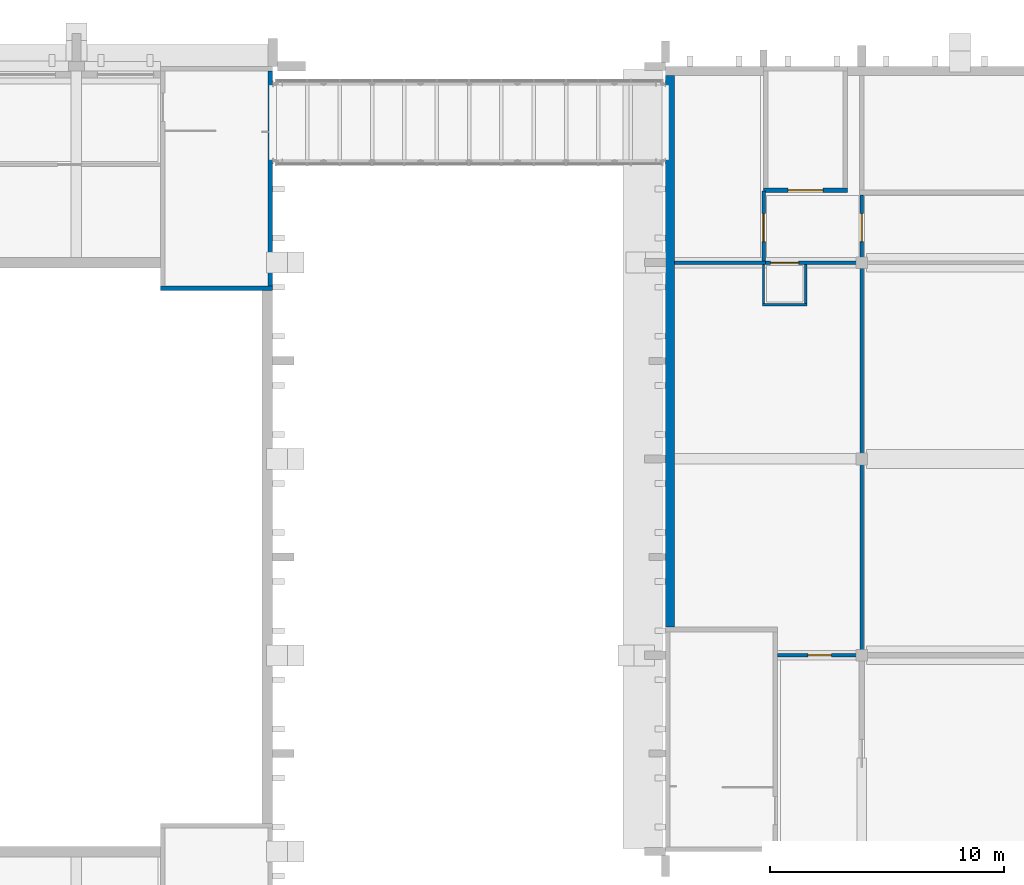
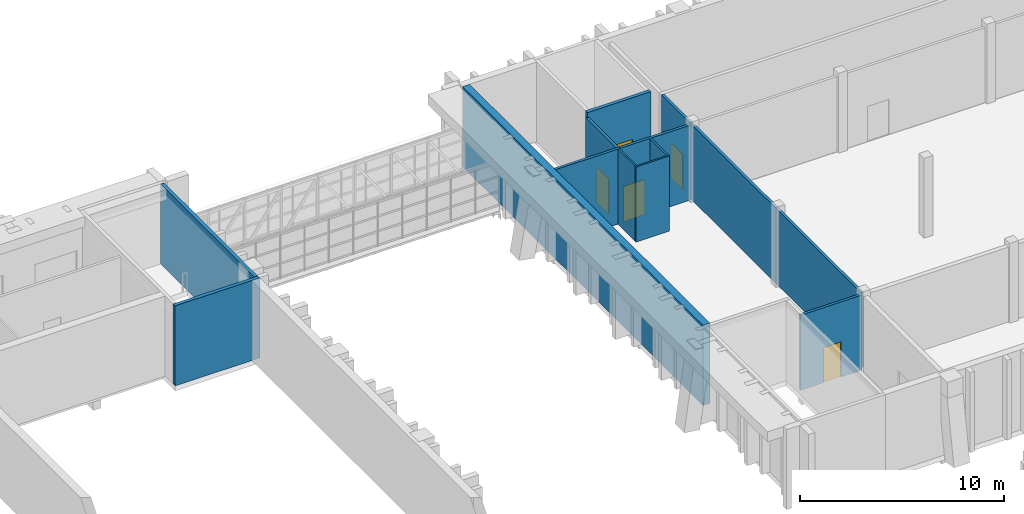
# One storey, part 49 of 86: 13 walls, 5 doors, 5 openings.
"""IFC4 building model written with IfcOpenShell, lengths in metres."""

from ifc_helpers import new_model, si_unit, direction, frame, frame_2d, origin, place, context, subcontext, project, spatial, rectangle, extrude, material, layer, layer_set, type_object, element, fill, save


model = new_model("IFC4")

# Units and contexts
model_context = context("Model", 3, precision=1e-05, world=origin(), true_north=direction((0.0, 1.0)))
body_context = subcontext(model_context, "Body", "Model", "MODEL_VIEW")
ifc_project = project(units=[si_unit("LENGTHUNIT", "METRE"), si_unit("AREAUNIT", "SQUARE_METRE"), si_unit("VOLUMEUNIT", "CUBIC_METRE"), si_unit("PLANEANGLEUNIT", "RADIAN"), si_unit("MASSUNIT", "GRAM", prefix="KILO")], contexts=[model_context])

# Site, building, storey
site_placement = place(None, origin())
site = spatial("IfcSite", under=ifc_project, at=site_placement, CompositionType="ELEMENT")
building_placement = place(site_placement, origin())
building = spatial("IfcBuilding", under=site, at=building_placement, Name="Kiln Court Media Centre", CompositionType="ELEMENT")
storey_placement = place(building_placement, frame((0.0, 0.0, 10.199951171875)))
storey = spatial("IfcBuildingStorey", under=building, at=storey_placement, Name="L02", CompositionType="ELEMENT", Elevation=10.199951171875)

# Wall, opening, door
ifc_material_1 = material(Name="Concrete block masonry M7.5", Category="masonry")
ifc_layer_1 = layer(ifc_material_1, 0.14990234375)
ifc_layer_set_1 = layer_set([ifc_layer_1], Name="Block lobby wall 150 EI 120")
wall_type_1 = type_object("IfcWallType", Name="Block lobby wall 150 EI 120", PredefinedType="SOLIDWALL", material=ifc_layer_set_1)
wall_1_placement = place(storey_placement, frame((121.875, 58.800048828125, 0.0), z_axis=(0.0, 0.0, 1.0), x_axis=(1.0, 0.0, 0.0)))
wall_1 = element("IfcWall", 1, at=wall_1_placement, inside=storey, type_object=wall_type_1, Name="L02 block lobby wall", PredefinedType="SOLIDWALL", context=body_context, shape_type="SweptSolid", body=[
    extrude(rectangle(XDim=4.050048828125, YDim=0.14990234375, at=frame_2d((2.02490234375, 0.0))), origin(), (0.0, 0.0, 1.0), 4.5),
])
opening_1_placement = place(wall_1_placement, frame((0.22509765625, 0.0, 0.0)))
opening_1 = element("IfcOpeningElement", 2, at=opening_1_placement, cuts=wall_1, Name="Opening D2068", PredefinedType="OPENING", context=body_context, shape_type="SweptSolid", body=[
    extrude(rectangle(XDim=1.199951171875, YDim=2.10009765625, at=frame_2d((0.60009765625, 1.050048828125))), frame((0.0, 0.0849609375, 0.0), z_axis=(0.0, -1.0, 0.0), x_axis=(1.0, 0.0, 0.0)), (0.0, 0.0, 1.0), 0.169921875),
])
ifc_material_2 = material(Name="Steel S275", Category="steel")
door_type_1 = type_object("IfcDoorType", Name="Steel lobby door 1200 x 2100 FD120", OperationType="SINGLE_SWING_LEFT", PredefinedType="DOOR", material=ifc_material_2)
door_1_placement = place(opening_1_placement, origin())
door_1 = element("IfcDoor", 3, at=door_1_placement, inside=storey, type_object=door_type_1, Name="Wheelchair Refuge / Fire-fighting Lift Lobby", OperationType="SINGLE_SWING_LEFT", OverallHeight=2.10009765625, OverallWidth=1.199951171875, PredefinedType="DOOR", context=body_context, shape_type="SweptSolid", body=[
    extrude(rectangle(XDim=1.199951171875, YDim=2.10009765625, at=frame_2d((0.60009765625, 1.050048828125))), frame((0.0, 0.02490234375, 0.0), z_axis=(0.0, -1.0, 0.0), x_axis=(1.0, 0.0, 0.0)), (0.0, 0.0, 1.0), 0.050048828125),
])
fill(opening_1, door_1)

wall_2_placement = place(storey_placement, frame((121.800048828125, 58.875, 0.0), z_axis=(0.0, 0.0, 1.0), x_axis=(0.0, 1.0, 0.0)))
wall_2 = element("IfcWall", 4, at=wall_2_placement, inside=storey, type_object=wall_type_1, Name="L02 block lobby wall", PredefinedType="SOLIDWALL", context=body_context, shape_type="SweptSolid", body=[
    extrude(rectangle(XDim=3.0, YDim=0.14990234375, at=frame_2d((1.5, 0.0))), origin(), (0.0, 0.0, 1.0), 4.5),
])
opening_2_placement = place(wall_2_placement, frame((0.824951171875, 0.0, 0.0)))
opening_2 = element("IfcOpeningElement", 5, at=opening_2_placement, cuts=wall_2, Name="Opening D2069", PredefinedType="OPENING", context=body_context, shape_type="SweptSolid", body=[
    extrude(rectangle(XDim=1.199951171875, YDim=2.10009765625, at=frame_2d((0.60009765625, 1.050048828125))), frame((0.0, 0.0849609375, 0.0), z_axis=(0.0, -1.0, 0.0), x_axis=(1.0, 0.0, 0.0)), (0.0, 0.0, 1.0), 0.169921875),
])
door_2_placement = place(opening_2_placement, origin())
door_2 = element("IfcDoor", 6, at=door_2_placement, inside=storey, type_object=door_type_1, Name="Bridge Lobby / Fire-fighting Lift Lobby", OperationType="SINGLE_SWING_RIGHT", OverallHeight=2.10009765625, OverallWidth=1.199951171875, PredefinedType="DOOR", context=body_context, shape_type="SweptSolid", body=[
    extrude(rectangle(XDim=1.199951171875, YDim=2.10009765625, at=frame_2d((0.60009765625, 1.050048828125))), frame((0.0, 0.02490234375, 0.0), z_axis=(0.0, -1.0, 0.0), x_axis=(1.0, 0.0, 0.0)), (0.0, 0.0, 1.0), 0.050048828125),
])
fill(opening_2, door_2)

wall_3_placement = place(storey_placement, frame((126.0, 58.875, 0.0), z_axis=(0.0, 0.0, 1.0), x_axis=(0.0, 1.0, 0.0)))
wall_3 = element("IfcWall", 7, at=wall_3_placement, inside=storey, type_object=wall_type_1, Name="L02 block lobby wall", PredefinedType="SOLIDWALL", context=body_context, shape_type="SweptSolid", body=[
    extrude(rectangle(XDim=2.824951171875, YDim=0.14990234375, at=frame_2d((1.41259765625, 0.0))), origin(), (0.0, 0.0, 1.0), 4.5),
])
opening_3_placement = place(wall_3_placement, frame((0.824951171875, 0.0, 0.0)))
opening_3 = element("IfcOpeningElement", 8, at=opening_3_placement, cuts=wall_3, Name="Opening D2056", PredefinedType="OPENING", context=body_context, shape_type="SweptSolid", body=[
    extrude(rectangle(XDim=1.199951171875, YDim=2.10009765625, at=frame_2d((0.60009765625, 1.050048828125))), frame((0.0, 0.0849609375, 0.0), z_axis=(0.0, -1.0, 0.0), x_axis=(1.0, 0.0, 0.0)), (0.0, 0.0, 1.0), 0.169921875),
])
door_3_placement = place(opening_3_placement, origin())
door_3 = element("IfcDoor", 9, at=door_3_placement, inside=storey, type_object=door_type_1, Name="Fire-fighting Lift Lobby / Plant Corridor", OperationType="SINGLE_SWING_RIGHT", OverallHeight=2.10009765625, OverallWidth=1.199951171875, PredefinedType="DOOR", context=body_context, shape_type="SweptSolid", body=[
    extrude(rectangle(XDim=1.199951171875, YDim=2.10009765625, at=frame_2d((0.60009765625, 1.050048828125))), frame((0.0, 0.02490234375, 0.0), z_axis=(0.0, -1.0, 0.0), x_axis=(1.0, 0.0, 0.0)), (0.0, 0.0, 1.0), 0.050048828125),
])
fill(opening_3, door_3)

# Walls
ifc_material_3 = material(Name="Concrete C40/50", Category="concrete")
ifc_layer_2 = layer(ifc_material_3, 0.39990234375)
ifc_layer_set_2 = layer_set([ifc_layer_2], Name="Concrete C40/50 auditorium wall 400")
wall_type_2 = type_object("IfcWallType", Name="Concrete C40/50 auditorium wall 400", PredefinedType="SHEAR", material=ifc_layer_set_2)
wall_4_placement = place(storey_placement, frame((117.800048828125, 43.199951171875, 0.0), z_axis=(0.0, 0.0, 1.0), x_axis=(0.0, 1.0, 0.0)))
element("IfcWall", 10, at=wall_4_placement, inside=storey, type_object=wall_type_2, Name="L02-W-1141", PredefinedType="SHEAR", context=body_context, shape_type="SweptSolid", body=[
    extrude(rectangle(XDim=23.60009765625, YDim=0.39990234375, at=frame_2d((11.800048828125, 0.0))), origin(), (0.0, 0.0, 1.0), 4.800048828125),
])
ifc_material_4 = material(Name="Concrete C40/50", Category="concrete")
ifc_layer_3 = layer(ifc_material_4, 0.199951171875)
ifc_layer_set_3 = layer_set([ifc_layer_3], Name="Concrete C40/50 shear wall 200")
wall_type_3 = type_object("IfcWallType", Name="Concrete C40/50 shear wall 200", PredefinedType="SHEAR", material=ifc_layer_set_3)
wall_5_placement = place(storey_placement, frame((100.800048828125, 57.699951171875, 0.0), z_axis=(0.0, 0.0, 1.0), x_axis=(-1.0, 0.0, 0.0)))
element("IfcWall", 11, at=wall_5_placement, inside=storey, type_object=wall_type_3, Name="L02-W-1044", PredefinedType="SHEAR", context=body_context, shape_type="SweptSolid", body=[
    extrude(rectangle(XDim=4.800048828125, YDim=0.199951171875, at=frame_2d((2.39990234375, 0.0))), origin(), (0.0, 0.0, 1.0), 4.800048828125),
])
wall_6_placement = place(storey_placement, frame((100.699951171875, 67.0, 0.0), z_axis=(0.0, 0.0, 1.0), x_axis=(0.0, -1.0, 0.0)))
element("IfcWall", 12, at=wall_6_placement, inside=storey, type_object=wall_type_3, Name="L02-W-1047", PredefinedType="SHEAR", context=body_context, shape_type="SweptSolid", body=[
    extrude(rectangle(XDim=9.199951171875, YDim=0.199951171875, at=frame_2d((4.60009765625, 0.0))), origin(), (0.0, 0.0, 1.0), 4.800048828125),
])

# Wall, opening, door
wall_7_placement = place(storey_placement, frame((125.39990234375, 61.89990234375, 0.0), z_axis=(0.0, 0.0, 1.0), x_axis=(-1.0, 0.0, 0.0)))
wall_7 = element("IfcWall", 13, at=wall_7_placement, inside=storey, type_object=wall_type_3, Name="L02-W-1094", PredefinedType="SHEAR", context=body_context, shape_type="SweptSolid", body=[
    extrude(rectangle(XDim=3.599853515625, YDim=0.199951171875, at=frame_2d((1.7998046875, 0.0))), origin(), (0.0, 0.0, 1.0), 4.800048828125),
])
opening_4_placement = place(wall_7_placement, frame((1.0498046875, 0.0, 0.0)))
opening_4 = element("IfcOpeningElement", 14, at=opening_4_placement, cuts=wall_7, Name="Opening LD210", PredefinedType="OPENING", context=body_context, shape_type="SweptSolid", body=[
    extrude(rectangle(XDim=1.5, YDim=2.300048828125, at=frame_2d((0.75, 1.14990234375))), frame((0.0, 0.10986328125, 0.0), z_axis=(0.0, -1.0, 0.0), x_axis=(1.0, 0.0, 0.0)), (0.0, 0.0, 1.0), 0.219970703125),
])
ifc_material_5 = material(Name="Stainless steel", Category="steel")
door_type_2 = type_object("IfcDoorType", Name="Goods lift landing door 1500 x 2300 FD120", OperationType="SLIDING_TO_LEFT", PredefinedType="DOOR", material=ifc_material_5)
door_4_placement = place(opening_4_placement, origin())
door_4 = element("IfcDoor", 15, at=door_4_placement, inside=storey, type_object=door_type_2, Name="LF-10 landing door L02", OperationType="SLIDING_TO_LEFT", OverallHeight=2.300048828125, OverallWidth=1.5, PredefinedType="DOOR", context=body_context, shape_type="SweptSolid", body=[
    extrude(rectangle(XDim=1.5, YDim=2.300048828125, at=frame_2d((0.75, 1.14990234375))), frame((0.0, 0.02490234375, 0.0), z_axis=(0.0, -1.0, 0.0), x_axis=(1.0, 0.0, 0.0)), (0.0, 0.0, 1.0), 0.050048828125),
])
fill(opening_4, door_4)

ifc_material_6 = material(Name="Gypsum plasterboard", Category="gypsum")
ifc_layer_4 = layer(ifc_material_6, 0.14990234375)
ifc_layer_set_4 = layer_set([ifc_layer_4], Name="Gypsum corridor partition 150 EI 60")
wall_type_4 = type_object("IfcWallType", Name="Gypsum corridor partition 150 EI 60", PredefinedType="PARTITIONING", material=ifc_layer_set_4)
wall_8_placement = place(storey_placement, frame((122.39990234375, 42.0, 0.0), z_axis=(0.0, 0.0, 1.0), x_axis=(1.0, 0.0, 0.0)))
wall_8 = element("IfcWall", 16, at=wall_8_placement, inside=storey, type_object=wall_type_4, Name="L02 gypsum corridor partition", PredefinedType="PARTITIONING", context=body_context, shape_type="SweptSolid", body=[
    extrude(rectangle(XDim=3.47509765625, YDim=0.14990234375, at=frame_2d((1.737548828125, 0.0))), origin(), (0.0, 0.0, 1.0), 4.5),
])
opening_5_placement = place(wall_8_placement, frame((1.300048828125, 0.0, 0.0)))
opening_5 = element("IfcOpeningElement", 17, at=opening_5_placement, cuts=wall_8, Name="Opening D2029", PredefinedType="OPENING", context=body_context, shape_type="SweptSolid", body=[
    extrude(rectangle(XDim=1.0, YDim=2.10009765625, at=frame_2d((0.5, 1.050048828125))), frame((0.0, 0.0849609375, 0.0), z_axis=(0.0, -1.0, 0.0), x_axis=(1.0, 0.0, 0.0)), (0.0, 0.0, 1.0), 0.169921875),
])
ifc_material_7 = material(Name="Steel S275", Category="steel")
door_type_3 = type_object("IfcDoorType", Name="Steel corridor door 1000 x 2100 FD30S", OperationType="SINGLE_SWING_LEFT", PredefinedType="DOOR", material=ifc_material_7)
door_5_placement = place(opening_5_placement, origin())
door_5 = element("IfcDoor", 18, at=door_5_placement, inside=storey, type_object=door_type_3, Name="Studio Lobby / Stage Property Store", OperationType="SINGLE_SWING_RIGHT", OverallHeight=2.10009765625, OverallWidth=1.0, PredefinedType="DOOR", context=body_context, shape_type="SweptSolid", body=[
    extrude(rectangle(XDim=1.0, YDim=2.10009765625, at=frame_2d((0.5, 1.050048828125))), frame((0.0, 0.02490234375, 0.0), z_axis=(0.0, -1.0, 0.0), x_axis=(1.0, 0.0, 0.0)), (0.0, 0.0, 1.0), 0.050048828125),
])
fill(opening_5, door_5)

# Walls
wall_9_placement = place(storey_placement, frame((118.0, 58.800048828125, 0.0), z_axis=(0.0, 0.0, 1.0), x_axis=(1.0, 0.0, 0.0)))
element("IfcWall", 19, at=wall_9_placement, inside=storey, type_object=wall_type_4, Name="L02 gypsum corridor partition", PredefinedType="PARTITIONING", context=body_context, shape_type="SweptSolid", body=[
    extrude(rectangle(XDim=3.875, YDim=0.14990234375, at=frame_2d((1.9375, 0.0))), origin(), (0.0, 0.0, 1.0), 4.5),
])
wall_10_placement = place(storey_placement, frame((126.0, 42.125, 0.0), z_axis=(0.0, 0.0, 1.0), x_axis=(0.0, 1.0, 0.0)))
element("IfcWall", 20, at=wall_10_placement, inside=storey, type_object=wall_type_4, Name="L02 gypsum corridor partition", PredefinedType="PARTITIONING", context=body_context, shape_type="SweptSolid", body=[
    extrude(rectangle(XDim=16.60009765625, YDim=0.14990234375, at=frame_2d((8.300048828125, 0.0))), origin(), (0.0, 0.0, 1.0), 4.5),
])
ifc_material_8 = material(Name="Gypsum plasterboard", Category="gypsum")
ifc_layer_5 = layer(ifc_material_8, 0.10009765625)
ifc_layer_set_5 = layer_set([ifc_layer_5], Name="Gypsum stud partition 100")
wall_type_5 = type_object("IfcWallType", Name="Gypsum stud partition 100", PredefinedType="PARTITIONING", material=ifc_layer_set_5)
wall_11_placement = place(storey_placement, frame((121.75, 57.0, 0.0), z_axis=(0.0, 0.0, 1.0), x_axis=(1.0, 0.0, 0.0)))
element("IfcWall", 21, at=wall_11_placement, inside=storey, type_object=wall_type_5, Name="L02 gypsum stud partition", PredefinedType="PARTITIONING", context=body_context, shape_type="SweptSolid", body=[
    extrude(rectangle(XDim=1.89990234375, YDim=0.10009765625, at=frame_2d((0.949951171875, 0.0))), origin(), (0.0, 0.0, 1.0), 4.5),
])
for number, where, z_axis, x_axis, name in (
    (22, (121.800048828125, 57.050048828125, 0.0), (0.0, 0.0, 1.0), (0.0, 1.0, 0.0), "L02 gypsum stud partition"),
    (23, (123.60009765625, 57.050048828125, 0.0), (0.0, 0.0, 1.0), (0.0, 1.0, 0.0), "L02 gypsum stud partition"),
):
    element("IfcWall", number, at=place(storey_placement, frame(where, z_axis=z_axis, x_axis=x_axis)), inside=storey, type_object=wall_type_5, Name=name, PredefinedType="PARTITIONING", context=body_context, shape_type="SweptSolid", body=[
        extrude(rectangle(XDim=1.675048828125, YDim=0.10009765625, at=frame_2d((0.83740234375, 0.0))), origin(), (0.0, 0.0, 1.0), 4.5),
    ])

save(model, "model.ifc")
